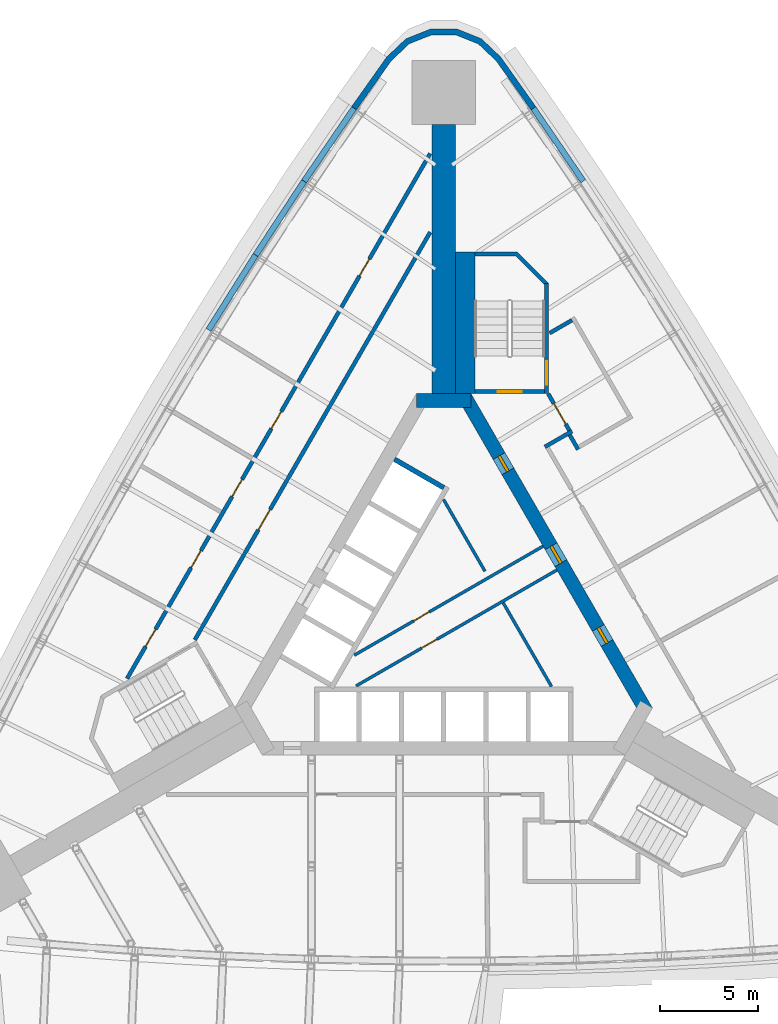
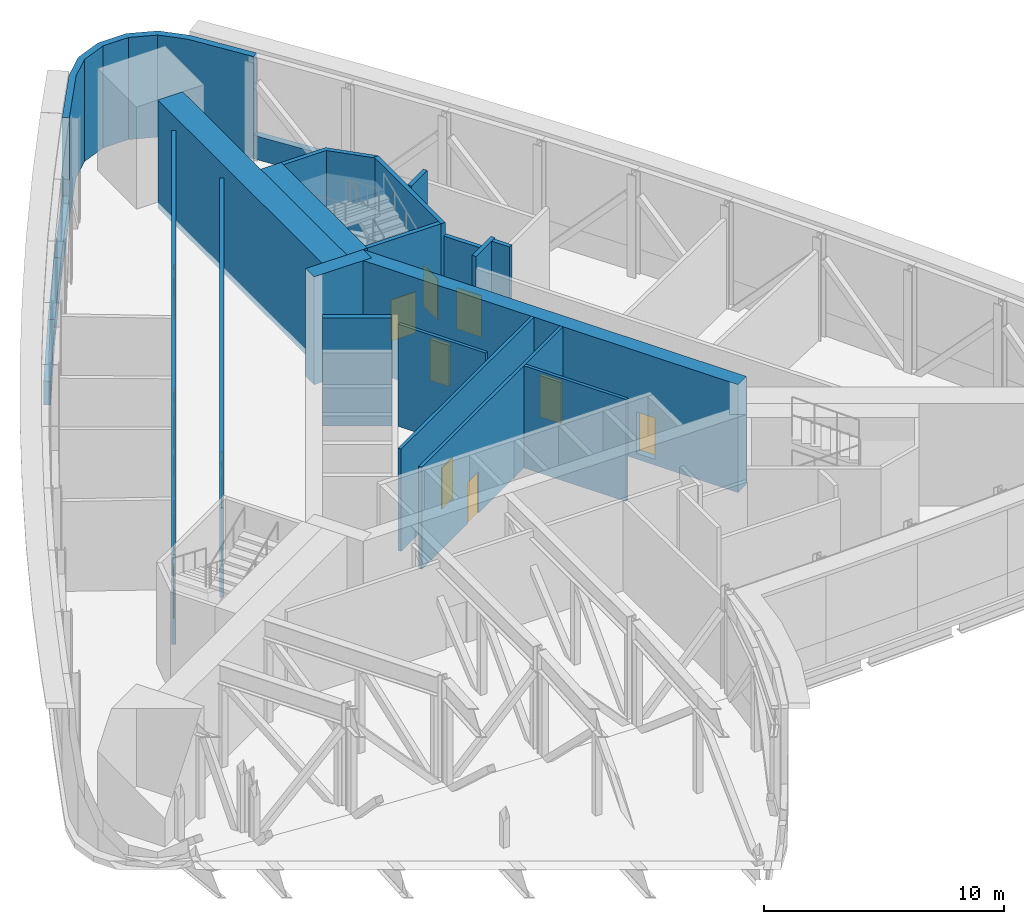
# One storey, part 7 of 10: 23 walls, 14 doors, 14 openings.
"""IFC4 building model written with IfcOpenShell, lengths in metres."""

from ifc_helpers import new_model, si_unit, direction, frame, frame_2d, origin, place, context, subcontext, project, spatial, polyline, rectangle, outline, extrude, material, layer, layer_set, type_object, element, fill, save


model = new_model("IFC4")

# Units and contexts
model_context = context("Model", 3, precision=1e-05, world=origin(), true_north=direction((0.0, 1.0)))
body_context = subcontext(model_context, "Body", "Model", "MODEL_VIEW")
ifc_project = project(units=[si_unit("LENGTHUNIT", "METRE"), si_unit("AREAUNIT", "SQUARE_METRE"), si_unit("VOLUMEUNIT", "CUBIC_METRE"), si_unit("PLANEANGLEUNIT", "RADIAN"), si_unit("MASSUNIT", "GRAM", prefix="KILO")], contexts=[model_context])

# Site, building, storey
site_placement = place(None, origin())
site = spatial("IfcSite", under=ifc_project, at=site_placement, CompositionType="ELEMENT")
building_placement = place(site_placement, origin())
building = spatial("IfcBuilding", under=site, at=building_placement, Name="Noor Cloister Tower", CompositionType="ELEMENT")
storey_placement = place(building_placement, frame((0.0, 0.0, 52.800048828125)))
storey = spatial("IfcBuildingStorey", under=building, at=storey_placement, Name="L13", CompositionType="ELEMENT", Elevation=52.800048828125)

# Wall
ifc_material_1 = material(Name="Concrete C80/95", Category="concrete")
ifc_layer_1 = layer(ifc_material_1, 1.199951171875)
ifc_layer_set_1 = layer_set([ifc_layer_1], Name="Buttress wall 1200 C80/95")
wall_type_1 = type_object("IfcWallType", Name="Buttress wall 1200 C80/95", PredefinedType="SHEAR", material=ifc_layer_set_1)
wall_1_placement = place(storey_placement, frame((0.0, 11.456298828125, -0.300048828125), z_axis=(0.0, 0.0, 1.0), x_axis=(0.0, 1.0, 0.0)))
element("IfcWall", 1, at=wall_1_placement, inside=storey, type_object=wall_type_1, Name="Buttress wall N L13", PredefinedType="SHEAR", context=body_context, shape_type="SweptSolid", body=[
    extrude(rectangle(XDim=13.69873046875, YDim=1.199951171875, at=frame_2d((6.849365234375, 0.0))), origin(), (0.0, 0.0, 1.0), 5.5),
])

# Wall, opening, door
ifc_material_2 = material(Name="Concrete C30/37", Category="concrete")
ifc_layer_2 = layer(ifc_material_2, 0.14990234375)
ifc_layer_set_2 = layer_set([ifc_layer_2], Name="Core partition 150 C30/37")
wall_type_2 = type_object("IfcWallType", Name="Core partition 150 C30/37", PredefinedType="PARTITIONING", material=ifc_layer_set_2)
wall_2_placement = place(storey_placement, frame((-4.547607421875, -1.8505859375, 0.0), z_axis=(0.0, 0.0, 1.0), x_axis=(0.866023939251, 0.500002536638, 0.0)))
wall_2 = element("IfcWall", 2, at=wall_2_placement, inside=storey, type_object=wall_type_2, Name="Core room partition L13 1", PredefinedType="PARTITIONING", context=body_context, shape_type="SweptSolid", body=[
    extrude(rectangle(XDim=11.091796875, YDim=0.14990234375, at=frame_2d((5.5458984375, 0.0))), origin(), (0.0, 0.0, 1.0), 5.199951171875),
])
opening_1_placement = place(wall_2_placement, frame((3.4970703125, 0.0, 0.0)))
opening_1 = element("IfcOpeningElement", 3, at=opening_1_placement, cuts=wall_2, Name="Opening L13-906", PredefinedType="OPENING", context=body_context, shape_type="SweptSolid", body=[
    extrude(rectangle(XDim=0.89990234375, YDim=2.10009765625, at=frame_2d((0.449951171875, 1.050048828125))), frame((0.0, 0.0849609375, 0.0), z_axis=(0.0, -1.0, 0.0), x_axis=(1.0, 0.0, 0.0)), (0.0, 0.0, 1.0), 0.169921875),
])
ifc_material_3 = material(Name="Steel", Category="steel")
door_type_1 = type_object("IfcDoorType", Name="Core door 900 x 2100 FD60", OperationType="SINGLE_SWING_LEFT", PredefinedType="DOOR", material=ifc_material_3)
door_1_placement = place(opening_1_placement, origin())
door_1 = element("IfcDoor", 4, at=door_1_placement, inside=storey, type_object=door_type_1, Name="Core door 6 L13", OperationType="SINGLE_SWING_RIGHT", OverallHeight=2.10009765625, OverallWidth=0.89990234375, PredefinedType="DOOR", context=body_context, shape_type="SweptSolid", body=[
    extrude(rectangle(XDim=0.89990234375, YDim=2.10009765625, at=frame_2d((0.449951171875, 1.050048828125))), frame((0.0, 0.02490234375, 0.0), z_axis=(0.0, -1.0, 0.0), x_axis=(1.0, 0.0, 0.0)), (0.0, 0.0, 1.0), 0.050048828125),
])
fill(opening_1, door_1)

# Wall
wall_3_placement = place(storey_placement, frame((2.099365234375, 2.420166015625, 0.0), z_axis=(0.0, 0.0, 1.0), x_axis=(-0.499998449073, 0.866026299211, 0.0)))
element("IfcWall", 5, at=wall_3_placement, inside=storey, type_object=wall_type_2, Name="Core room partition L13 2", PredefinedType="PARTITIONING", context=body_context, shape_type="SweptSolid", body=[
    extrude(rectangle(XDim=4.21142578125, YDim=0.14990234375, at=frame_2d((2.105712890625, 0.0))), origin(), (0.0, 0.0, 1.0), 5.199951171875),
])

# Wall, opening, door
wall_4_placement = place(storey_placement, frame((-4.454345703125, -3.4130859375, 0.0), z_axis=(0.0, 0.0, 1.0), x_axis=(0.86603043987, 0.499991277142, 0.0)))
wall_4 = element("IfcWall", 6, at=wall_4_placement, inside=storey, type_object=wall_type_2, Name="Core room partition L13 3", PredefinedType="PARTITIONING", context=body_context, shape_type="SweptSolid", body=[
    extrude(rectangle(XDim=11.792236328125, YDim=0.14990234375, at=frame_2d((5.89599609375, 0.0))), origin(), (0.0, 0.0, 1.0), 5.199951171875),
])
opening_2_placement = place(wall_4_placement, frame((3.84716796875, 0.0, 0.0)))
opening_2 = element("IfcOpeningElement", 7, at=opening_2_placement, cuts=wall_4, Name="Opening L13-904", PredefinedType="OPENING", context=body_context, shape_type="SweptSolid", body=[
    extrude(rectangle(XDim=0.89990234375, YDim=2.10009765625, at=frame_2d((0.449951171875, 1.050048828125))), frame((0.0, 0.0849609375, 0.0), z_axis=(0.0, -1.0, 0.0), x_axis=(1.0, 0.0, 0.0)), (0.0, 0.0, 1.0), 0.169921875),
])
ifc_material_4 = material(Name="Steel", Category="steel")
door_type_2 = type_object("IfcDoorType", Name="Core door 900 x 2100 FD120", OperationType="SINGLE_SWING_LEFT", PredefinedType="DOOR", material=ifc_material_4)
door_2_placement = place(opening_2_placement, origin())
door_2 = element("IfcDoor", 8, at=door_2_placement, inside=storey, type_object=door_type_2, Name="Core door 4 L13", OperationType="SINGLE_SWING_RIGHT", OverallHeight=2.10009765625, OverallWidth=0.89990234375, PredefinedType="DOOR", context=body_context, shape_type="SweptSolid", body=[
    extrude(rectangle(XDim=0.89990234375, YDim=2.10009765625, at=frame_2d((0.449951171875, 1.050048828125))), frame((0.0, 0.02490234375, 0.0), z_axis=(0.0, -1.0, 0.0), x_axis=(1.0, 0.0, 0.0)), (0.0, 0.0, 1.0), 0.050048828125),
])
fill(opening_2, door_2)

# Wall
wall_5_placement = place(storey_placement, frame((5.482421875, -3.439208984375, 0.0), z_axis=(0.0, 0.0, 1.0), x_axis=(-0.500006183238, 0.866021833861, 0.0)))
element("IfcWall", 9, at=wall_5_placement, inside=storey, type_object=wall_type_2, Name="Core room partition L13 4", PredefinedType="PARTITIONING", context=body_context, shape_type="SweptSolid", body=[
    extrude(rectangle(XDim=4.916015625, YDim=0.14990234375, at=frame_2d((2.4580078125, 0.0))), origin(), (0.0, 0.0, 1.0), 5.199951171875),
])

# Wall, openings, doors
ifc_material_5 = material(Name="Concrete C80/95", Category="concrete")
ifc_layer_3 = layer(ifc_material_5, 0.699951171875)
ifc_layer_set_3 = layer_set([ifc_layer_3], Name="Core wall 700 C80/95")
wall_type_3 = type_object("IfcWallType", Name="Core wall 700 C80/95", PredefinedType="SHEAR", material=ifc_layer_set_3)
wall_6_placement = place(storey_placement, frame((10.311279296875, -4.703125, -0.300048828125), z_axis=(0.0, 0.0, 1.0), x_axis=(-0.500001446645, 0.866024568562, 0.0)))
wall_6 = element("IfcWall", 10, at=wall_6_placement, inside=storey, type_object=wall_type_3, Name="Core wall L13 3", PredefinedType="SHEAR", context=body_context, shape_type="SweptSolid", body=[
    extrude(rectangle(XDim=18.45751953125, YDim=0.699951171875, at=frame_2d((9.228759765625, 0.0))), origin(), (0.0, 0.0, 1.0), 5.5),
])
opening_3_placement = place(wall_6_placement, frame((8.699951171875, 0.0, 0.300048828125)))
opening_3 = element("IfcOpeningElement", 11, at=opening_3_placement, cuts=wall_6, Name="Opening L13-901", PredefinedType="OPENING", context=body_context, shape_type="SweptSolid", body=[
    extrude(rectangle(XDim=1.0, YDim=2.10009765625, at=frame_2d((0.5, 1.050048828125))), frame((0.0, 0.35986328125, 0.0), z_axis=(0.0, -1.0, 0.0), x_axis=(1.0, 0.0, 0.0)), (0.0, 0.0, 1.0), 0.719970703125),
])
opening_4_placement = place(wall_6_placement, frame((4.001953125, 0.0, 0.300048828125)))
opening_4 = element("IfcOpeningElement", 12, at=opening_4_placement, cuts=wall_6, Name="Opening L13-902", PredefinedType="OPENING", context=body_context, shape_type="SweptSolid", body=[
    extrude(rectangle(XDim=0.89990234375, YDim=2.10009765625, at=frame_2d((0.449951171875, 1.050048828125))), frame((0.0, 0.35986328125, 0.0), z_axis=(0.0, -1.0, 0.0), x_axis=(1.0, 0.0, 0.0)), (0.0, 0.0, 1.0), 0.719970703125),
])
opening_5_placement = place(wall_6_placement, frame((14.093017578125, 0.0, 0.300048828125)))
opening_5 = element("IfcOpeningElement", 13, at=opening_5_placement, cuts=wall_6, Name="Opening L13-903", PredefinedType="OPENING", context=body_context, shape_type="SweptSolid", body=[
    extrude(rectangle(XDim=0.89990234375, YDim=2.10009765625, at=frame_2d((0.449951171875, 1.050048828125))), frame((0.0, 0.35986328125, 0.0), z_axis=(0.0, -1.0, 0.0), x_axis=(1.0, 0.0, 0.0)), (0.0, 0.0, 1.0), 0.719970703125),
])
ifc_material_6 = material(Name="Steel", Category="steel")
door_type_3 = type_object("IfcDoorType", Name="Core door 1000 x 2100 FD120", OperationType="SINGLE_SWING_LEFT", PredefinedType="DOOR", material=ifc_material_6)
door_3_placement = place(opening_3_placement, origin())
door_3 = element("IfcDoor", 14, at=door_3_placement, inside=storey, type_object=door_type_3, Name="Core door 1 L13", OperationType="SINGLE_SWING_LEFT", OverallHeight=2.10009765625, OverallWidth=1.0, PredefinedType="DOOR", context=body_context, shape_type="SweptSolid", body=[
    extrude(rectangle(XDim=1.0, YDim=2.10009765625, at=frame_2d((0.5, 1.050048828125))), frame((0.0, 0.074951171875, 0.0), z_axis=(0.0, -1.0, 0.0), x_axis=(1.0, 0.0, 0.0)), (0.0, 0.0, 1.0), 0.14990234375),
])
fill(opening_3, door_3)
door_4_placement = place(opening_4_placement, origin())
door_4 = element("IfcDoor", 15, at=door_4_placement, inside=storey, type_object=door_type_2, Name="Core door 2 L13", OperationType="SINGLE_SWING_RIGHT", OverallHeight=2.10009765625, OverallWidth=0.89990234375, PredefinedType="DOOR", context=body_context, shape_type="SweptSolid", body=[
    extrude(rectangle(XDim=0.89990234375, YDim=2.10009765625, at=frame_2d((0.449951171875, 1.050048828125))), frame((0.0, 0.074951171875, 0.0), z_axis=(0.0, -1.0, 0.0), x_axis=(1.0, 0.0, 0.0)), (0.0, 0.0, 1.0), 0.14990234375),
])
fill(opening_4, door_4)
door_5_placement = place(opening_5_placement, origin())
door_5 = element("IfcDoor", 16, at=door_5_placement, inside=storey, type_object=door_type_2, Name="Core door 3 L13", OperationType="SINGLE_SWING_LEFT", OverallHeight=2.10009765625, OverallWidth=0.89990234375, PredefinedType="DOOR", context=body_context, shape_type="SweptSolid", body=[
    extrude(rectangle(XDim=0.89990234375, YDim=2.10009765625, at=frame_2d((0.449951171875, 1.050048828125))), frame((0.0, 0.074951171875, 0.0), z_axis=(0.0, -1.0, 0.0), x_axis=(1.0, 0.0, 0.0)), (0.0, 0.0, 1.0), 0.14990234375),
])
fill(opening_5, door_5)

# Walls
wall_7_placement = place(storey_placement, frame((1.3857421875, 11.1064453125, -0.300048828125), z_axis=(0.0, 0.0, 1.0), x_axis=(-1.0, 0.0, 0.0)))
element("IfcWall", 17, at=wall_7_placement, inside=storey, type_object=wall_type_3, Name="Core wall L13 4", PredefinedType="SHEAR", context=body_context, shape_type="SweptSolid", body=[
    extrude(rectangle(XDim=2.771484375, YDim=0.699951171875, at=frame_2d((1.3857421875, 0.0))), origin(), (0.0, 0.0, 1.0), 5.5),
])
ifc_material_7 = material(Name="Limestone", Category="masonry")
ifc_layer_4 = layer(ifc_material_7, 0.300048828125)
ifc_layer_set_4 = layer_set([ifc_layer_4], Name="Limestone cladding 300")
wall_type_4 = type_object("IfcWallType", Name="Limestone cladding 300", PredefinedType="NOTDEFINED", material=ifc_layer_set_4)
wall_8_placement = place(storey_placement, origin())
element("IfcWall", 18, at=wall_8_placement, inside=storey, type_object=wall_type_4, Name="Limestone pier cladding L13 3.1", PredefinedType="NOTDEFINED", context=body_context, shape_type="SweptSolid", body=[
    extrude(outline(polyline([(4.683837890625, 26.05810546875), (2.90087890625, 28.576171875), (1.923828125, 29.502197265625), (0.673095703125, 30.000732421875), (-0.673095703125, 30.000732421875), (-1.923828125, 29.502197265625), (-2.90087890625, 28.576171875), (-4.683837890625, 26.05810546875), (-4.43896484375, 25.884765625), (-2.673095703125, 28.378662109375), (-1.75927734375, 29.244873046875), (-0.615478515625, 29.70068359375), (0.615478515625, 29.70068359375), (1.75927734375, 29.244873046875), (2.673095703125, 28.378662109375), (4.43896484375, 25.884765625), (4.683837890625, 26.05810546875)])), origin(), (0.0, 0.0, 1.0), 5.199951171875),
])
ifc_material_8 = material(Name="Limestone", Category="masonry")
ifc_layer_5 = layer(ifc_material_8, 0.300048828125)
ifc_layer_set_5 = layer_set([ifc_layer_5], Name="Limestone panel wall 300")
wall_type_5 = type_object("IfcWallType", Name="Limestone panel wall 300", PredefinedType="NOTDEFINED", material=ifc_layer_set_5)
wall_9_placement = place(storey_placement, origin())
element("IfcWall", 19, at=wall_9_placement, inside=storey, type_object=wall_type_5, Name="Limestone panel wall L13 1.1", PredefinedType="NOTDEFINED", context=body_context, shape_type="SweptSolid", body=[
    extrude(outline(polyline([(-4.683837890625, 26.05810546875), (-7.224609375, 22.343994140625), (-6.97705078125, 22.1748046875), (-4.43603515625, 25.888671875), (-4.683837890625, 26.05810546875)])), origin(), (0.0, 0.0, 1.0), 1.199951171875),
])
wall_10_placement = place(storey_placement, origin())
element("IfcWall", 20, at=wall_10_placement, inside=storey, type_object=wall_type_5, Name="Limestone panel wall L13 1.2", PredefinedType="NOTDEFINED", context=body_context, shape_type="SweptSolid", body=[
    extrude(outline(polyline([(-7.224609375, 22.343994140625), (-9.69384765625, 18.582275390625), (-9.443115234375, 18.417724609375), (-6.9736328125, 22.179443359375), (-7.224609375, 22.343994140625)])), origin(), (0.0, 0.0, 1.0), 1.199951171875),
])
wall_11_placement = place(storey_placement, origin())
element("IfcWall", 21, at=wall_11_placement, inside=storey, type_object=wall_type_5, Name="Limestone panel wall L13 1.3", PredefinedType="NOTDEFINED", context=body_context, shape_type="SweptSolid", body=[
    extrude(outline(polyline([(-9.69384765625, 18.582275390625), (-12.091064453125, 14.77392578125), (-11.837158203125, 14.6142578125), (-9.43994140625, 18.42236328125), (-9.69384765625, 18.582275390625)])), origin(), (0.0, 0.0, 1.0), 1.199951171875),
])
wall_12_placement = place(storey_placement, origin())
element("IfcWall", 22, at=wall_12_placement, inside=storey, type_object=wall_type_5, Name="Limestone panel wall L13 4.9", PredefinedType="NOTDEFINED", context=body_context, shape_type="SweptSolid", body=[
    extrude(outline(polyline([(7.224609375, 22.343994140625), (4.683837890625, 26.05810546875), (4.43603515625, 25.888671875), (6.97705078125, 22.1748046875), (7.224609375, 22.343994140625)])), origin(), (0.0, 0.0, 1.0), 1.199951171875),
])
ifc_material_9 = material(Name="Concrete C80/95", Category="concrete")
ifc_layer_6 = layer(ifc_material_9, 0.25)
ifc_layer_set_6 = layer_set([ifc_layer_6], Name="Shaft wall 250 C80/95")
wall_type_6 = type_object("IfcWallType", Name="Shaft wall 250 C80/95", PredefinedType="PARTITIONING", material=ifc_layer_set_6)
wall_13_placement = place(storey_placement, frame((-2.50634765625, 8.115478515625, -0.300048828125), z_axis=(0.0, 0.0, 1.0), x_axis=(0.865996321171, -0.50005036918, 0.0)))
element("IfcWall", 23, at=wall_13_placement, inside=storey, type_object=wall_type_6, Name="Lift shaft wall L13 NW 1", PredefinedType="PARTITIONING", context=body_context, shape_type="SweptSolid", body=[
    extrude(rectangle(XDim=2.900146484375, YDim=0.25, at=frame_2d((1.4501953125, 0.0))), origin(), (0.0, 0.0, 1.0), 5.5),
])

# Wall, opening, door
ifc_material_10 = material(Name="Concrete C80/95", Category="concrete")
ifc_layer_7 = layer(ifc_material_10, 0.199951171875)
ifc_layer_set_7 = layer_set([ifc_layer_7], Name="Stair enclosure wall 200 C80/95")
wall_type_7 = type_object("IfcWallType", Name="Stair enclosure wall 200 C80/95", PredefinedType="SHEAR", material=ifc_layer_set_7)
wall_14_placement = place(storey_placement, frame((5.135498046875, 11.556396484375, -0.300048828125), z_axis=(0.0, 0.0, 1.0), x_axis=(-1.0, 0.0, 0.0)))
wall_14 = element("IfcWall", 24, at=wall_14_placement, inside=storey, type_object=wall_type_7, Name="Stair enclosure wall ST1 L13 near end", PredefinedType="SHEAR", context=body_context, shape_type="SweptSolid", body=[
    extrude(rectangle(XDim=3.5498046875, YDim=0.199951171875, at=frame_2d((1.77490234375, 0.0))), origin(), (0.0, 0.0, 1.0), 5.5),
])
opening_6_placement = place(wall_14_placement, frame((1.175048828125, 0.0, 0.300048828125)))
opening_6 = element("IfcOpeningElement", 25, at=opening_6_placement, cuts=wall_14, Name="Opening L13-ST1L", PredefinedType="OPENING", context=body_context, shape_type="SweptSolid", body=[
    extrude(rectangle(XDim=1.199951171875, YDim=2.10009765625, at=frame_2d((0.60009765625, 1.050048828125))), frame((0.0, 0.10986328125, 0.0), z_axis=(0.0, -1.0, 0.0), x_axis=(1.0, 0.0, 0.0)), (0.0, 0.0, 1.0), 0.219970703125),
])
ifc_material_11 = material(Name="Steel", Category="steel")
door_type_4 = type_object("IfcDoorType", Name="Stair door 1200 x 2100 FD120", OperationType="SINGLE_SWING_LEFT", PredefinedType="DOOR", material=ifc_material_11)
door_6_placement = place(opening_6_placement, origin())
door_6 = element("IfcDoor", 26, at=door_6_placement, inside=storey, type_object=door_type_4, Name="Stair door ST1 L13", OperationType="SINGLE_SWING_RIGHT", OverallHeight=2.10009765625, OverallWidth=1.199951171875, PredefinedType="DOOR", context=body_context, shape_type="SweptSolid", body=[
    extrude(rectangle(XDim=1.199951171875, YDim=2.10009765625, at=frame_2d((0.60009765625, 1.050048828125))), frame((0.0, 0.02490234375, 0.0), z_axis=(0.0, -1.0, 0.0), x_axis=(1.0, 0.0, 0.0)), (0.0, 0.0, 1.0), 0.050048828125),
])
fill(opening_6, door_6)

wall_15_placement = place(storey_placement, frame((5.235595703125, 11.456298828125, -0.300048828125), z_axis=(0.0, 0.0, 1.0), x_axis=(0.0, 1.0, 0.0)))
wall_15 = element("IfcWall", 27, at=wall_15_placement, inside=storey, type_object=wall_type_7, Name="Stair enclosure wall ST1 L13 outer side", PredefinedType="SHEAR", context=body_context, shape_type="SweptSolid", body=[
    extrude(rectangle(XDim=5.60009765625, YDim=0.199951171875, at=frame_2d((2.800048828125, 0.0))), origin(), (0.0, 0.0, 1.0), 5.5),
])
opening_7_placement = place(wall_15_placement, frame((0.449951171875, 0.0, 0.300048828125)))
opening_7 = element("IfcOpeningElement", 28, at=opening_7_placement, cuts=wall_15, Name="Opening L13-ST1C", PredefinedType="OPENING", context=body_context, shape_type="SweptSolid", body=[
    extrude(rectangle(XDim=1.199951171875, YDim=2.10009765625, at=frame_2d((0.60009765625, 1.050048828125))), frame((0.0, 0.10986328125, 0.0), z_axis=(0.0, -1.0, 0.0), x_axis=(1.0, 0.0, 0.0)), (0.0, 0.0, 1.0), 0.219970703125),
])
door_7_placement = place(opening_7_placement, origin())
door_7 = element("IfcDoor", 29, at=door_7_placement, inside=storey, type_object=door_type_4, Name="Stair door ST1 L13", OperationType="SINGLE_SWING_LEFT", OverallHeight=2.10009765625, OverallWidth=1.199951171875, PredefinedType="DOOR", context=body_context, shape_type="SweptSolid", body=[
    extrude(rectangle(XDim=1.199951171875, YDim=2.10009765625, at=frame_2d((0.60009765625, 1.050048828125))), frame((0.0, 0.02490234375, 0.0), z_axis=(0.0, -1.0, 0.0), x_axis=(1.0, 0.0, 0.0)), (0.0, 0.0, 1.0), 0.050048828125),
])
fill(opening_7, door_7)

# Walls
ifc_material_12 = material(Name="Concrete C80/95", Category="concrete")
ifc_layer_8 = layer(ifc_material_12, 0.986083984375)
ifc_layer_set_8 = layer_set([ifc_layer_8], Name="Stair enclosure wall 986 C80/95")
wall_type_8 = type_object("IfcWallType", Name="Stair enclosure wall 986 C80/95", PredefinedType="SHEAR", material=ifc_layer_set_8)
wall_16_placement = place(storey_placement, frame((1.0927734375, 11.456298828125, -0.300048828125), z_axis=(0.0, 0.0, 1.0), x_axis=(0.0, 1.0, 0.0)))
element("IfcWall", 30, at=wall_16_placement, inside=storey, type_object=wall_type_8, Name="Stair enclosure wall ST1 L13 riser side", PredefinedType="SHEAR", context=body_context, shape_type="SweptSolid", body=[
    extrude(rectangle(XDim=7.2001953125, YDim=0.985595703125, at=frame_2d((3.60009765625, 0.0))), origin(), (0.0, 0.0, 1.0), 5.5),
])
ifc_material_13 = material(Name="Concrete C80/95", Category="concrete")
wall_type_9 = type_object("IfcWallType", Name="Stair far end wall C80/95", PredefinedType="SHEAR", material=ifc_material_13)
wall_17_placement = place(storey_placement, frame((0.0, 0.0, -0.300048828125)))
element("IfcWall", 31, at=wall_17_placement, inside=storey, type_object=wall_type_9, Name="Stair enclosure wall ST1 L13 far end", PredefinedType="SHEAR", context=body_context, shape_type="SweptSolid", body=[
    extrude(outline(polyline([(5.335693359375, 17.056396484375), (3.735595703125, 18.656494140625), (1.585693359375, 18.656494140625), (1.585693359375, 18.456298828125), (3.65283203125, 18.456298828125), (5.135498046875, 16.9736328125), (5.135498046875, 17.056396484375), (5.135498046875, 17.056396484375), (5.135498046875, 17.056396484375), (5.135498046875, 17.056396484375), (5.135498046875, 17.056396484375), (5.135498046875, 17.056396484375), (5.135498046875, 17.056396484375), (5.135498046875, 17.056396484375), (5.135498046875, 17.056396484375), (5.135498046875, 17.056396484375), (5.135498046875, 17.056396484375), (5.135498046875, 17.056396484375), (5.135498046875, 17.056396484375), (5.135498046875, 17.056396484375), (5.135498046875, 17.056396484375), (5.135498046875, 17.056396484375), (5.135498046875, 17.056396484375), (5.335693359375, 17.056396484375)])), origin(), (0.0, 0.0, 1.0), 5.5),
])

# Wall, opening, door
ifc_material_14 = material(Name="Concrete block wall, 200 mm", Category="concrete")
ifc_layer_9 = layer(ifc_material_14, 0.199951171875)
ifc_layer_set_9 = layer_set([ifc_layer_9], Name="Upper floor plant room wall 200")
wall_type_10 = type_object("IfcWallType", Name="Upper floor plant room wall 200", PredefinedType="PARTITIONING", material=ifc_layer_set_9)
wall_18_placement = place(storey_placement, frame((-0.6865234375, 19.667236328125, 0.0), z_axis=(0.0, 0.0, 1.0), x_axis=(-0.500000491645, -0.866025119933, 0.0)))
wall_18 = element("IfcWall", 32, at=wall_18_placement, inside=storey, type_object=wall_type_10, Name="Upper floor plant room wall 200 L13 001", PredefinedType="PARTITIONING", context=body_context, shape_type="SweptSolid", body=[
    extrude(rectangle(XDim=23.94287109375, YDim=0.199951171875, at=frame_2d((11.971435546875, 0.0))), origin(), (0.0, 0.0, 1.0), 4.577880859375),
])
opening_8_placement = place(wall_18_placement, frame((16.286865234375, 0.0, 0.0)))
opening_8 = element("IfcOpeningElement", 33, at=opening_8_placement, cuts=wall_18, Name="Opening L13-006", PredefinedType="OPENING", context=body_context, shape_type="SweptSolid", body=[
    extrude(rectangle(XDim=1.199951171875, YDim=2.10009765625, at=frame_2d((0.60009765625, 1.050048828125))), frame((0.0, 0.10986328125, 0.0), z_axis=(0.0, -1.0, 0.0), x_axis=(1.0, 0.0, 0.0)), (0.0, 0.0, 1.0), 0.219970703125),
])
ifc_material_15 = material(Name="Timber door leaf with steel frame", Category="steel")
door_type_5 = type_object("IfcDoorType", Name="Firefighting lobby door 1200", OperationType="NOTDEFINED", PredefinedType="DOOR", material=ifc_material_15)
door_8_placement = place(opening_8_placement, origin())
door_8 = element("IfcDoor", 34, at=door_8_placement, inside=storey, type_object=door_type_5, Name="Firefighting lobby door 1200 L13-006", OperationType="SINGLE_SWING_RIGHT", OverallHeight=2.10009765625, OverallWidth=1.199951171875, PredefinedType="DOOR", context=body_context, shape_type="SweptSolid", body=[
    extrude(rectangle(XDim=1.199951171875, YDim=2.10009765625, at=frame_2d((0.60009765625, 1.050048828125))), frame((0.0, 0.02490234375, 0.0), z_axis=(0.0, -1.0, 0.0), x_axis=(1.0, 0.0, 0.0)), (0.0, 0.0, 1.0), 0.050048828125),
])
fill(opening_8, door_8)

# Wall, openings, doors
wall_19_placement = place(storey_placement, frame((-16.10400390625, -3.03662109375, 0.0), z_axis=(0.0, 0.0, 1.0), x_axis=(0.500000029135, 0.866025386963, 0.0)))
wall_19 = element("IfcWall", 35, at=wall_19_placement, inside=storey, type_object=wall_type_10, Name="Upper floor plant room wall 200 L13 002", PredefinedType="PARTITIONING", context=body_context, shape_type="SweptSolid", body=[
    extrude(rectangle(XDim=30.8349609375, YDim=0.199951171875, at=frame_2d((15.41748046875, 0.0))), origin(), (0.0, 0.0, 1.0), 4.577880859375),
])
opening_9_placement = place(wall_19_placement, frame((23.641357421875, 0.0, 0.0)))
opening_9 = element("IfcOpeningElement", 36, at=opening_9_placement, cuts=wall_19, Name="Opening L13-001", PredefinedType="OPENING", context=body_context, shape_type="SweptSolid", body=[
    extrude(rectangle(XDim=1.0, YDim=2.10009765625, at=frame_2d((0.5, 1.050048828125))), frame((0.0, 0.10986328125, 0.0), z_axis=(0.0, -1.0, 0.0), x_axis=(1.0, 0.0, 0.0)), (0.0, 0.0, 1.0), 0.219970703125),
])
opening_10_placement = place(wall_19_placement, frame((14.680908203125, 0.0, 0.0)))
opening_10 = element("IfcOpeningElement", 37, at=opening_10_placement, cuts=wall_19, Name="Opening L13-002", PredefinedType="OPENING", context=body_context, shape_type="SweptSolid", body=[
    extrude(rectangle(XDim=1.0, YDim=2.10009765625, at=frame_2d((0.5, 1.050048828125))), frame((0.0, 0.10986328125, 0.0), z_axis=(0.0, -1.0, 0.0), x_axis=(1.0, 0.0, 0.0)), (0.0, 0.0, 1.0), 0.219970703125),
])
opening_11_placement = place(wall_19_placement, frame((10.697509765625, 0.0, 0.0)))
opening_11 = element("IfcOpeningElement", 38, at=opening_11_placement, cuts=wall_19, Name="Opening L13-003", PredefinedType="OPENING", context=body_context, shape_type="SweptSolid", body=[
    extrude(rectangle(XDim=1.0, YDim=2.10009765625, at=frame_2d((0.5, 1.050048828125))), frame((0.0, 0.10986328125, 0.0), z_axis=(0.0, -1.0, 0.0), x_axis=(1.0, 0.0, 0.0)), (0.0, 0.0, 1.0), 0.219970703125),
])
opening_12_placement = place(wall_19_placement, frame((6.509765625, 0.0, 0.0)))
opening_12 = element("IfcOpeningElement", 39, at=opening_12_placement, cuts=wall_19, Name="Opening L13-004", PredefinedType="OPENING", context=body_context, shape_type="SweptSolid", body=[
    extrude(rectangle(XDim=1.0, YDim=2.10009765625, at=frame_2d((0.5, 1.050048828125))), frame((0.0, 0.10986328125, 0.0), z_axis=(0.0, -1.0, 0.0), x_axis=(1.0, 0.0, 0.0)), (0.0, 0.0, 1.0), 0.219970703125),
])
opening_13_placement = place(wall_19_placement, frame((1.884521484375, 0.0, 0.0)))
opening_13 = element("IfcOpeningElement", 40, at=opening_13_placement, cuts=wall_19, Name="Opening L13-005", PredefinedType="OPENING", context=body_context, shape_type="SweptSolid", body=[
    extrude(rectangle(XDim=1.0, YDim=2.10009765625, at=frame_2d((0.5, 1.050048828125))), frame((0.0, 0.10986328125, 0.0), z_axis=(0.0, -1.0, 0.0), x_axis=(1.0, 0.0, 0.0)), (0.0, 0.0, 1.0), 0.219970703125),
])
ifc_material_16 = material(Name="Timber door leaf with steel frame", Category="steel")
door_type_6 = type_object("IfcDoorType", Name="Plant room door 1000", OperationType="NOTDEFINED", PredefinedType="DOOR", material=ifc_material_16)
door_9_placement = place(opening_9_placement, origin())
door_9 = element("IfcDoor", 41, at=door_9_placement, inside=storey, type_object=door_type_6, Name="Plant room door 1000 L13-001", OperationType="SINGLE_SWING_RIGHT", OverallHeight=2.10009765625, OverallWidth=1.0, PredefinedType="DOOR", context=body_context, shape_type="SweptSolid", body=[
    extrude(rectangle(XDim=1.0, YDim=2.10009765625, at=frame_2d((0.5, 1.050048828125))), frame((0.0, 0.02490234375, 0.0), z_axis=(0.0, -1.0, 0.0), x_axis=(1.0, 0.0, 0.0)), (0.0, 0.0, 1.0), 0.050048828125),
])
fill(opening_9, door_9)
door_10_placement = place(opening_10_placement, origin())
door_10 = element("IfcDoor", 42, at=door_10_placement, inside=storey, type_object=door_type_6, Name="Plant room door 1000 L13-002", OperationType="SINGLE_SWING_LEFT", OverallHeight=2.10009765625, OverallWidth=1.0, PredefinedType="DOOR", context=body_context, shape_type="SweptSolid", body=[
    extrude(rectangle(XDim=1.0, YDim=2.10009765625, at=frame_2d((0.5, 1.050048828125))), frame((0.0, 0.02490234375, 0.0), z_axis=(0.0, -1.0, 0.0), x_axis=(1.0, 0.0, 0.0)), (0.0, 0.0, 1.0), 0.050048828125),
])
fill(opening_10, door_10)
door_11_placement = place(opening_12_placement, origin())
door_11 = element("IfcDoor", 43, at=door_11_placement, inside=storey, type_object=door_type_6, Name="Plant room door 1000 L13-004", OperationType="SINGLE_SWING_LEFT", OverallHeight=2.10009765625, OverallWidth=1.0, PredefinedType="DOOR", context=body_context, shape_type="SweptSolid", body=[
    extrude(rectangle(XDim=1.0, YDim=2.10009765625, at=frame_2d((0.5, 1.050048828125))), frame((0.0, 0.02490234375, 0.0), z_axis=(0.0, -1.0, 0.0), x_axis=(1.0, 0.0, 0.0)), (0.0, 0.0, 1.0), 0.050048828125),
])
fill(opening_12, door_11)
door_12_placement = place(opening_13_placement, origin())
door_12 = element("IfcDoor", 44, at=door_12_placement, inside=storey, type_object=door_type_6, Name="Plant room door 1000 L13-005", OperationType="SINGLE_SWING_LEFT", OverallHeight=2.10009765625, OverallWidth=1.0, PredefinedType="DOOR", context=body_context, shape_type="SweptSolid", body=[
    extrude(rectangle(XDim=1.0, YDim=2.10009765625, at=frame_2d((0.5, 1.050048828125))), frame((0.0, 0.02490234375, 0.0), z_axis=(0.0, -1.0, 0.0), x_axis=(1.0, 0.0, 0.0)), (0.0, 0.0, 1.0), 0.050048828125),
])
fill(opening_13, door_12)
ifc_material_17 = material(Name="Timber door leaf with steel frame", Category="steel")
door_type_7 = type_object("IfcDoorType", Name="Staff room door 1000", OperationType="NOTDEFINED", PredefinedType="DOOR", material=ifc_material_17)
door_13_placement = place(opening_11_placement, origin())
door_13 = element("IfcDoor", 45, at=door_13_placement, inside=storey, type_object=door_type_7, Name="Staff room door 1000 L13-003", OperationType="SINGLE_SWING_LEFT", OverallHeight=2.10009765625, OverallWidth=1.0, PredefinedType="DOOR", context=body_context, shape_type="SweptSolid", body=[
    extrude(rectangle(XDim=1.0, YDim=2.10009765625, at=frame_2d((0.5, 1.050048828125))), frame((0.0, 0.02490234375, 0.0), z_axis=(0.0, -1.0, 0.0), x_axis=(1.0, 0.0, 0.0)), (0.0, 0.0, 1.0), 0.050048828125),
])
fill(opening_11, door_13)

# Walls
wall_20_placement = place(storey_placement, frame((6.407958984375, 9.357666015625, 0.0), z_axis=(0.0, 0.0, 1.0), x_axis=(0.49996696679, -0.866044474677, 0.0)))
element("IfcWall", 46, at=wall_20_placement, inside=storey, type_object=wall_type_10, Name="Upper floor plant room wall 200 L13 015", PredefinedType="PARTITIONING", context=body_context, shape_type="SweptSolid", body=[
    extrude(rectangle(XDim=0.8642578125, YDim=0.199951171875, at=frame_2d((0.43212890625, 0.0))), origin(), (0.0, 0.0, 1.0), 5.199951171875),
])
wall_21_placement = place(storey_placement, frame((5.147216796875, 8.7451171875, 0.0), z_axis=(0.0, 0.0, 1.0), x_axis=(0.865987117328, 0.500066308224, 0.0)))
element("IfcWall", 47, at=wall_21_placement, inside=storey, type_object=wall_type_10, Name="Upper floor plant room wall 200 L13 016", PredefinedType="PARTITIONING", context=body_context, shape_type="SweptSolid", body=[
    extrude(rectangle(XDim=1.597900390625, YDim=0.199951171875, at=frame_2d((0.798828125, 0.0))), origin(), (0.0, 0.0, 1.0), 5.199951171875),
])

# Wall, opening, door
wall_22_placement = place(storey_placement, frame((6.39453125, 9.580810546875, 0.0), z_axis=(0.0, 0.0, 1.0), x_axis=(-0.500003735859, 0.866023246874, 0.0)))
wall_22 = element("IfcWall", 48, at=wall_22_placement, inside=storey, type_object=wall_type_10, Name="Upper floor plant room wall 200 L13 017", PredefinedType="PARTITIONING", context=body_context, shape_type="SweptSolid", body=[
    extrude(rectangle(XDim=2.15380859375, YDim=0.199951171875, at=frame_2d((1.076904296875, 0.0))), origin(), (0.0, 0.0, 1.0), 4.577880859375),
])
opening_14_placement = place(wall_22_placement, frame((0.383056640625, 0.0, 0.0)))
opening_14 = element("IfcOpeningElement", 49, at=opening_14_placement, cuts=wall_22, Name="Opening L13-013", PredefinedType="OPENING", context=body_context, shape_type="SweptSolid", body=[
    extrude(rectangle(XDim=1.199951171875, YDim=2.10009765625, at=frame_2d((0.60009765625, 1.050048828125))), frame((0.0, 0.10986328125, 0.0), z_axis=(0.0, -1.0, 0.0), x_axis=(1.0, 0.0, 0.0)), (0.0, 0.0, 1.0), 0.219970703125),
])
ifc_material_18 = material(Name="Timber door leaf with steel frame", Category="steel")
door_type_8 = type_object("IfcDoorType", Name="Protected lobby door 1200", OperationType="NOTDEFINED", PredefinedType="DOOR", material=ifc_material_18)
door_14_placement = place(opening_14_placement, origin())
door_14 = element("IfcDoor", 50, at=door_14_placement, inside=storey, type_object=door_type_8, Name="Protected lobby door 1200 L13-013", OperationType="SINGLE_SWING_LEFT", OverallHeight=2.10009765625, OverallWidth=1.199951171875, PredefinedType="DOOR", context=body_context, shape_type="SweptSolid", body=[
    extrude(rectangle(XDim=1.199951171875, YDim=2.10009765625, at=frame_2d((0.60009765625, 1.050048828125))), frame((0.0, 0.02490234375, 0.0), z_axis=(0.0, -1.0, 0.0), x_axis=(1.0, 0.0, 0.0)), (0.0, 0.0, 1.0), 0.050048828125),
])
fill(opening_14, door_14)

# Wall
wall_23_placement = place(storey_placement, frame((6.528564453125, 15.19189453125, 0.0), z_axis=(0.0, 0.0, 1.0), x_axis=(-0.866117824122, -0.499839889103, 0.0)))
element("IfcWall", 51, at=wall_23_placement, inside=storey, type_object=wall_type_10, Name="Upper floor plant room wall 200 L13 023", PredefinedType="PARTITIONING", context=body_context, shape_type="SweptSolid", body=[
    extrude(rectangle(XDim=1.31982421875, YDim=0.199951171875, at=frame_2d((0.659912109375, 0.0))), origin(), (0.0, 0.0, 1.0), 5.199951171875),
])

save(model, "model.ifc")
